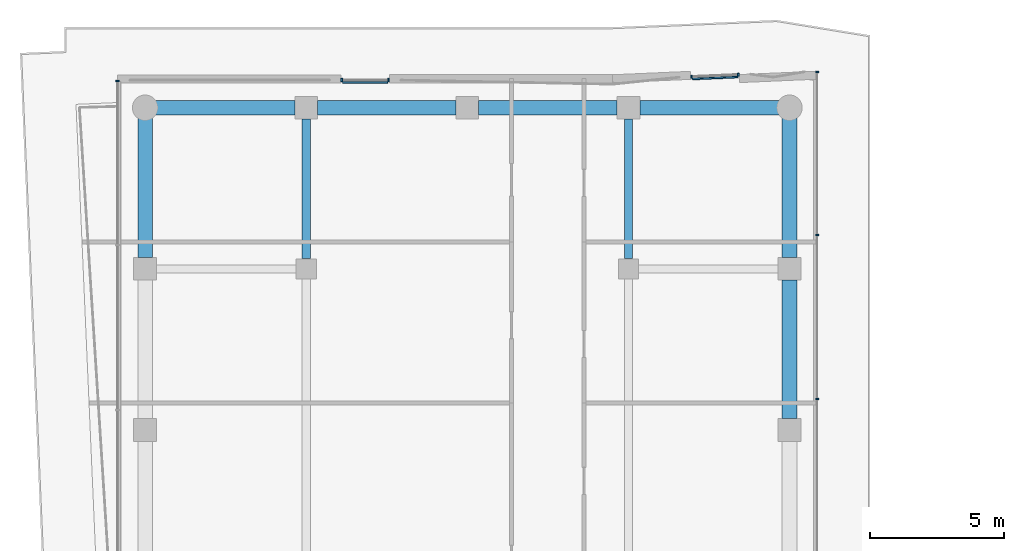
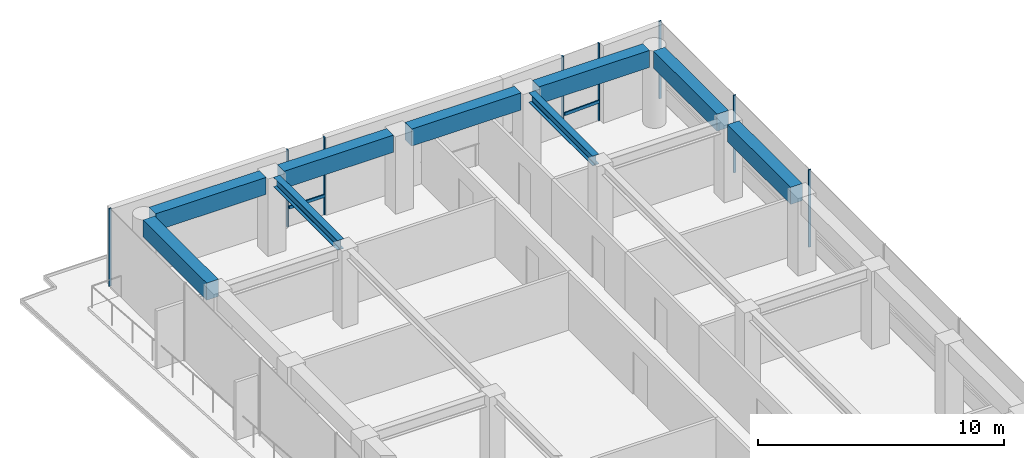
# One storey, part 15 of 21: 10 members, 9 beams, 4 elements without a shape of their own.
"""IFC4 building model written with IfcOpenShell, lengths in metres."""

from ifc_helpers import new_model, si_unit, direction, frame, origin, origin_2d, place, context, subcontext, project, spatial, rectangle, i_section, extrude, material, layer, layer_set, material_profile, profile_set, type_object, element, aggregate, save


model = new_model("IFC4")

# Units and contexts
model_context = context("Model", 3, precision=1e-05, world=origin(), true_north=direction((0.0, 1.0)))
body_context = subcontext(model_context, "Body", "Model", "MODEL_VIEW")
ifc_project = project(units=[si_unit("LENGTHUNIT", "METRE"), si_unit("AREAUNIT", "SQUARE_METRE"), si_unit("VOLUMEUNIT", "CUBIC_METRE"), si_unit("PLANEANGLEUNIT", "RADIAN"), si_unit("MASSUNIT", "GRAM", prefix="KILO")], contexts=[model_context])

# Site, building, storey
site_placement = place(None, origin())
site = spatial("IfcSite", under=ifc_project, at=site_placement, CompositionType="ELEMENT")
building_placement = place(site_placement, origin())
building = spatial("IfcBuilding", under=site, at=building_placement, Name="Welwitschia Terrace Campus", CompositionType="ELEMENT")
storey_placement = place(building_placement, frame((0.0, 0.0, 180.199951171875)))
storey = spatial("IfcBuildingStorey", under=building, at=storey_placement, Name="L40", CompositionType="ELEMENT", Elevation=180.199951171875)

# Beams
ifc_material_1 = material(Name="Steel S355", Category="steel")
ifc_material_profile_1 = material_profile(ifc_material_1, i_section(OverallWidth=0.300048828125, OverallDepth=0.489990234375, WebThickness=0.011962890625, FlangeThickness=0.02294921875, FilletRadius=0.027099609375, at=origin_2d()))
ifc_profile_set_1 = profile_set([ifc_material_profile_1], Name="Steel S355")
beam_type_1 = type_object("IfcBeamType", Name="Interior girder HE 500 A", PredefinedType="BEAM", material=ifc_profile_set_1)
for number, where, z_axis, x_axis, name in (
    (1, (6.0, 56.37548828125, 3.60498046875), (0.0, 1.0, 0.0), (-1.0, 0.0, 0.0), "Girder GB4"),
    (2, (18.0, 56.37548828125, 3.60498046875), (0.0, 1.0, 0.0), (-1.0, 0.0, 0.0), "Girder GB4"),
):
    element("IfcBeam", number, at=place(storey_placement, frame(where, z_axis=z_axis, x_axis=x_axis)), inside=storey, type_object=beam_type_1, Name=name, PredefinedType="BEAM", context=body_context, shape_type="SweptSolid", body=[
        extrude(i_section(OverallWidth=0.300048828125, OverallDepth=0.489990234375, WebThickness=0.011962890625, FlangeThickness=0.02294921875, FilletRadius=0.027099609375, at=origin_2d()), origin(), (0.0, 0.0, 1.0), 5.208984375),
    ])

# Curtain wall, members
ifc_material_2 = material(Name="Bronze anodised aluminium", Category="aluminium")
ifc_layer = layer(ifc_material_2, 0.1201171875)
ifc_layer_set = layer_set([ifc_layer], Name="Bronze anodised aluminium")
curtain_wall_type = type_object("IfcCurtainWallType", Name="Curtain wall CW2 tower 6000", PredefinedType="NOTDEFINED", material=ifc_layer_set)
curtain_wall_1_placement = place(storey_placement, origin())
curtain_wall_1 = element("IfcCurtainWall", 3, at=curtain_wall_1_placement, inside=storey, type_object=curtain_wall_type, Name="CW L40.7.0", PredefinedType="NOTDEFINED")
ifc_material_3 = material(Name="Bronze anodised aluminium", Category="aluminium")
ifc_material_profile_2 = material_profile(ifc_material_3, rectangle(XDim=0.1201171875, YDim=0.06005859375, at=origin_2d()))
ifc_profile_set_2 = profile_set([ifc_material_profile_2], Name="Bronze anodised aluminium")
member_type_1 = type_object("IfcMemberType", Name="Mullion 60x120", PredefinedType="MULLION", material=ifc_profile_set_2)
member_1_placement = place(storey_placement, frame((25.030029296875, 51.14794921875, 0.0), z_axis=(0.0, 0.0, 1.0), x_axis=(-1.0, 0.0, 0.0)))
member_1 = element("IfcMember", 4, at=member_1_placement, type_object=member_type_1, Name="Mullion L40.7.0.4", PredefinedType="MULLION", context=body_context, shape_type="SweptSolid", body=[
    extrude(rectangle(XDim=0.1201171875, YDim=0.06005859375, at=origin_2d()), origin(), (0.0, 0.0, 1.0), 3.85009765625),
])
member_2_placement = place(storey_placement, frame((25.030029296875, 57.255126953125, 0.0), z_axis=(0.0, 0.0, 1.0), x_axis=(-1.0, 0.0, 0.0)))
member_2 = element("IfcMember", 5, at=member_2_placement, type_object=member_type_1, Name="Mullion L40.7.0.5", PredefinedType="MULLION", context=body_context, shape_type="SweptSolid", body=[
    extrude(rectangle(XDim=0.1201171875, YDim=0.06005859375, at=origin_2d()), origin(), (0.0, 0.0, 1.0), 3.85009765625),
])
member_3_placement = place(storey_placement, frame((25.030029296875, 63.33251953125, 0.0), z_axis=(0.0, 0.0, 1.0), x_axis=(-1.0, 0.0, 0.0)))
member_3 = element("IfcMember", 6, at=member_3_placement, type_object=member_type_1, Name="Mullion L40.7.0.6", PredefinedType="MULLION", context=body_context, shape_type="SweptSolid", body=[
    extrude(rectangle(XDim=0.1201171875, YDim=0.06005859375, at=origin_2d()), origin(), (0.0, 0.0, 1.0), 3.85009765625),
])
aggregate(curtain_wall_1, [member_1, member_2, member_3])

curtain_wall_2_placement = place(storey_placement, origin())
curtain_wall_2 = element("IfcCurtainWall", 7, at=curtain_wall_2_placement, inside=storey, type_object=curtain_wall_type, Name="CW L40.8.S0", PredefinedType="NOTDEFINED")
member_4_placement = place(storey_placement, frame((22.092041015625, 63.234130859375, 0.0), z_axis=(0.0, 0.0, 1.0), x_axis=(0.043619387365, -0.999048221582, 0.0)))
member_4 = element("IfcMember", 8, at=member_4_placement, type_object=member_type_1, Name="Mullion L40.8.S0.0", PredefinedType="MULLION", context=body_context, shape_type="SweptSolid", body=[
    extrude(rectangle(XDim=0.1201171875, YDim=0.06005859375, at=origin_2d()), origin(), (0.0, 0.0, 1.0), 3.85009765625),
])
member_5_placement = place(storey_placement, frame((20.353759765625, 63.158203125, 0.0), z_axis=(0.0, 0.0, 1.0), x_axis=(0.043619387365, -0.999048221582, 0.0)))
member_5 = element("IfcMember", 9, at=member_5_placement, type_object=member_type_1, Name="Mullion L40.8.S0.1", PredefinedType="MULLION", context=body_context, shape_type="SweptSolid", body=[
    extrude(rectangle(XDim=0.1201171875, YDim=0.06005859375, at=origin_2d()), origin(), (0.0, 0.0, 1.0), 3.85009765625),
])

curtain_wall_3_placement = place(storey_placement, origin())
curtain_wall_3 = element("IfcCurtainWall", 10, at=curtain_wall_3_placement, inside=storey, type_object=curtain_wall_type, Name="CW L40.9.S0", PredefinedType="NOTDEFINED")
member_6_placement = place(storey_placement, frame((9.06298828125, 63.030029296875, 0.0), z_axis=(0.0, 0.0, 1.0), x_axis=(0.0, -1.0, 0.0)))
member_6 = element("IfcMember", 11, at=member_6_placement, type_object=member_type_1, Name="Mullion L40.9.S0.0", PredefinedType="MULLION", context=body_context, shape_type="SweptSolid", body=[
    extrude(rectangle(XDim=0.1201171875, YDim=0.06005859375, at=origin_2d()), origin(), (0.0, 0.0, 1.0), 3.85009765625),
])
member_7_placement = place(storey_placement, frame((7.322998046875, 63.030029296875, 0.0), z_axis=(0.0, 0.0, 1.0), x_axis=(0.0, -1.0, 0.0)))
member_7 = element("IfcMember", 12, at=member_7_placement, type_object=member_type_1, Name="Mullion L40.9.S0.1", PredefinedType="MULLION", context=body_context, shape_type="SweptSolid", body=[
    extrude(rectangle(XDim=0.1201171875, YDim=0.06005859375, at=origin_2d()), origin(), (0.0, 0.0, 1.0), 3.85009765625),
])

# Curtain wall, member
curtain_wall_4_placement = place(storey_placement, origin())
curtain_wall_4 = element("IfcCurtainWall", 13, at=curtain_wall_4_placement, inside=storey, type_object=curtain_wall_type, Name="CW L40.10.0", PredefinedType="NOTDEFINED")
member_8_placement = place(storey_placement, frame((-1.030029296875, 63.0, 0.0), z_axis=(0.0, 0.0, 1.0), x_axis=(1.0, 0.0, 0.0)))
member_8 = element("IfcMember", 14, at=member_8_placement, type_object=member_type_1, Name="Mullion L40.10.0.0", PredefinedType="MULLION", context=body_context, shape_type="SweptSolid", body=[
    extrude(rectangle(XDim=0.1201171875, YDim=0.06005859375, at=origin_2d()), origin(), (0.0, 0.0, 1.0), 3.85009765625),
])
aggregate(curtain_wall_4, [member_8])

# Beams
ifc_material_4 = material(Name="Concrete C50/60", Category="concrete")
ifc_material_profile_3 = material_profile(ifc_material_4, rectangle(XDim=0.550048828125, YDim=0.85009765625, at=origin_2d()))
ifc_profile_set_3 = profile_set([ifc_material_profile_3], Name="Concrete C50/60")
beam_type_2 = type_object("IfcBeamType", Name="Ring spandrel 550x850", PredefinedType="SPANDREL", material=ifc_profile_set_3)
beam_placement = place(storey_placement, frame((24.0, 50.425537109375, 3.425048828125), z_axis=(0.0, 1.0, 0.0), x_axis=(-1.0, 0.0, 0.0)))
element("IfcBeam", 15, at=beam_placement, inside=storey, type_object=beam_type_2, Name="Spandrel SP3", PredefinedType="SPANDREL", context=body_context, shape_type="SweptSolid", body=[
    extrude(rectangle(XDim=0.550048828125, YDim=0.85009765625, at=origin_2d()), origin(), (0.0, 0.0, 1.0), 5.14892578125),
])
for number, where, z_axis, x_axis, name in (
    (16, (24.0, 56.425537109375, 3.425048828125), (0.0, 1.0, 0.0), (-1.0, 0.0, 0.0), "Spandrel SP3"),
    (17, (23.612060546875, 62.0, 3.425048828125), (-1.0, 0.0, 0.0), (0.0, -1.0, 0.0), "Spandrel SP3"),
):
    element("IfcBeam", number, at=place(storey_placement, frame(where, z_axis=z_axis, x_axis=x_axis)), inside=storey, type_object=beam_type_2, Name=name, PredefinedType="SPANDREL", context=body_context, shape_type="SweptSolid", body=[
        extrude(rectangle(XDim=0.550048828125, YDim=0.85009765625, at=origin_2d()), origin(), (0.0, 0.0, 1.0), 5.1865234375),
    ])
for number, where, z_axis, x_axis, name in (
    (18, (17.574462890625, 62.0, 3.425048828125), (-1.0, 0.0, 0.0), (0.0, -1.0, 0.0), "Spandrel SP3"),
    (19, (11.574462890625, 62.0, 3.425048828125), (-1.0, 0.0, 0.0), (0.0, -1.0, 0.0), "Spandrel SP3"),
):
    element("IfcBeam", number, at=place(storey_placement, frame(where, z_axis=z_axis, x_axis=x_axis)), inside=storey, type_object=beam_type_2, Name=name, PredefinedType="SPANDREL", context=body_context, shape_type="SweptSolid", body=[
        extrude(rectangle(XDim=0.550048828125, YDim=0.85009765625, at=origin_2d()), origin(), (0.0, 0.0, 1.0), 5.14892578125),
    ])
for number, where, z_axis, x_axis, name in (
    (20, (5.574462890625, 62.0, 3.425048828125), (-1.0, 0.0, 0.0), (0.0, -1.0, 0.0), "Spandrel SP3"),
    (21, (0.0, 61.612060546875, 3.425048828125), (0.0, -1.0, 0.0), (1.0, 0.0, 0.0), "Spandrel SP3"),
):
    element("IfcBeam", number, at=place(storey_placement, frame(where, z_axis=z_axis, x_axis=x_axis)), inside=storey, type_object=beam_type_2, Name=name, PredefinedType="SPANDREL", context=body_context, shape_type="SweptSolid", body=[
        extrude(rectangle(XDim=0.550048828125, YDim=0.85009765625, at=origin_2d()), origin(), (0.0, 0.0, 1.0), 5.1865234375),
    ])

# Member
ifc_material_5 = material(Name="Bronze anodised aluminium", Category="aluminium")
ifc_material_profile_4 = material_profile(ifc_material_5, rectangle(XDim=0.06005859375, YDim=0.14990234375, at=origin_2d()))
ifc_profile_set_4 = profile_set([ifc_material_profile_4], Name="Bronze anodised aluminium")
member_type_2 = type_object("IfcMemberType", Name="Transom 60x150", PredefinedType="USERDEFINED", material=ifc_profile_set_4)
member_9_placement = place(storey_placement, frame((22.066162109375, 63.14306640625, 1.0), z_axis=(-0.999042951865, -0.043739916874, 0.0), x_axis=(0.043739916874, -0.999042951865, 0.0)))
member_9 = element("IfcMember", 22, at=member_9_placement, type_object=member_type_2, Name="Transom L40.8.S0", ObjectType="TRANSOM", PredefinedType="USERDEFINED", context=body_context, shape_type="SweptSolid", body=[
    extrude(rectangle(XDim=0.06005859375, YDim=0.14990234375, at=origin_2d()), origin(), (0.0, 0.0, 1.0), 1.68017578125),
])

aggregate(curtain_wall_2, [member_4, member_5, member_9])

member_10_placement = place(storey_placement, frame((9.032958984375, 62.93994140625, 1.0), z_axis=(-1.0, 0.0, 0.0), x_axis=(0.0, -1.0, 0.0)))
member_10 = element("IfcMember", 23, at=member_10_placement, type_object=member_type_2, Name="Transom L40.9.S0", ObjectType="TRANSOM", PredefinedType="USERDEFINED", context=body_context, shape_type="SweptSolid", body=[
    extrude(rectangle(XDim=0.06005859375, YDim=0.14990234375, at=origin_2d()), origin(), (0.0, 0.0, 1.0), 1.679931640625),
])

aggregate(curtain_wall_3, [member_6, member_7, member_10])

save(model, "model.ifc")
